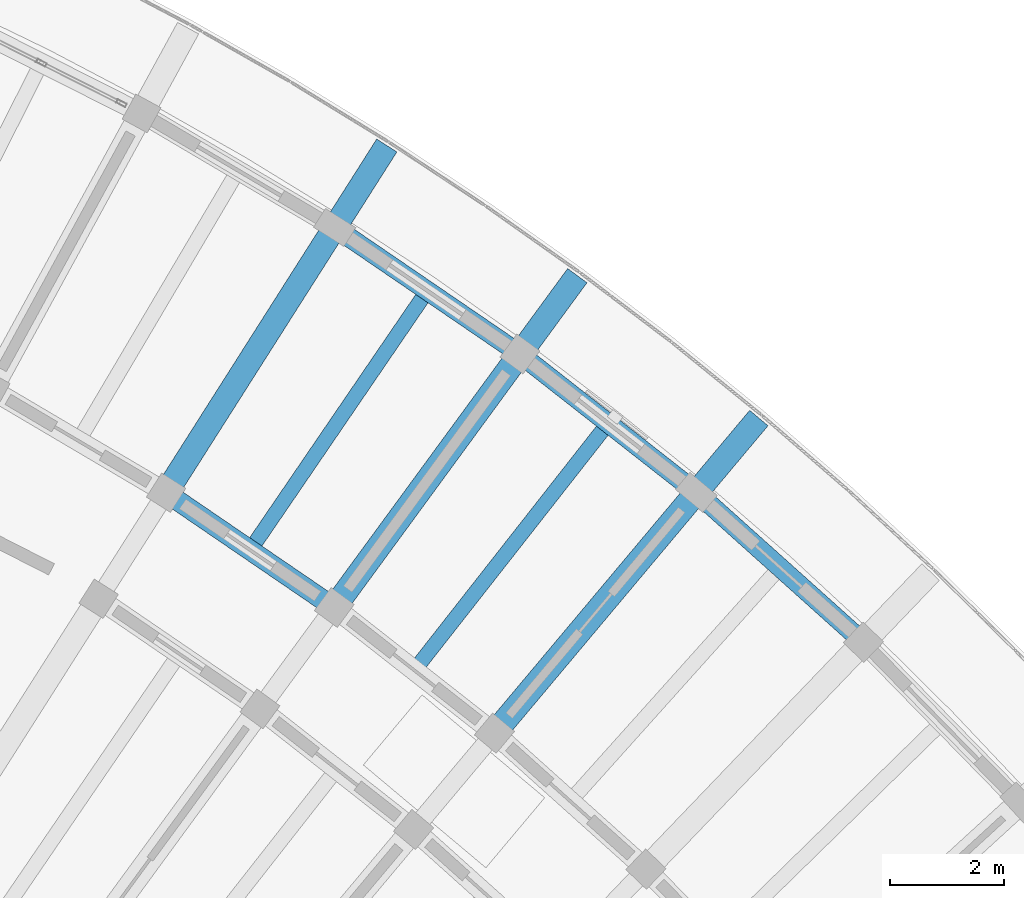
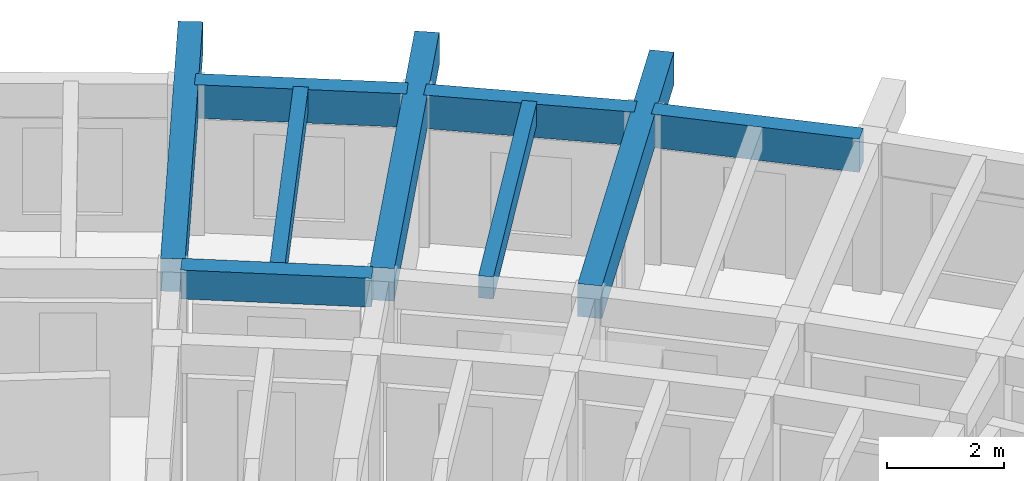
# One storey, part 26 of 62: 9 beams.
"""IFC4 building model written with IfcOpenShell, lengths in metres."""

from ifc_helpers import new_model, si_unit, direction, frame, origin, origin_2d, place, context, subcontext, project, spatial, rectangle, extrude, material, material_profile, profile_set, type_object, element, save


model = new_model("IFC4")

# Units and contexts
model_context = context("Model", 3, precision=1e-05, world=origin(), true_north=direction((0.0, 1.0)))
body_context = subcontext(model_context, "Body", "Model", "MODEL_VIEW")
ifc_project = project(units=[si_unit("LENGTHUNIT", "METRE"), si_unit("AREAUNIT", "SQUARE_METRE"), si_unit("VOLUMEUNIT", "CUBIC_METRE"), si_unit("PLANEANGLEUNIT", "RADIAN"), si_unit("MASSUNIT", "GRAM", prefix="KILO")], contexts=[model_context])

# Site, building, storey
site_placement = place(None, origin())
site = spatial("IfcSite", under=ifc_project, at=site_placement, CompositionType="ELEMENT")
building_placement = place(site_placement, origin())
building = spatial("IfcBuilding", under=site, at=building_placement, Name="Tanwirah Colonnade Gardens", CompositionType="ELEMENT")
storey_placement = place(building_placement, frame((0.0, 0.0, 32.360107421875)))
storey = spatial("IfcBuildingStorey", under=building, at=storey_placement, Name="L09", CompositionType="ELEMENT", Elevation=32.360107421875)

# Beams
ifc_material_1 = material(Name="Precast concrete C40/50", Category="concrete")
ifc_material_profile_1 = material_profile(ifc_material_1, rectangle(XDim=0.35009765625, YDim=0.60009765625, at=origin_2d()), Name="PC-BM 350x600")
ifc_profile_set_1 = profile_set([ifc_material_profile_1], Name="Precast concrete C40/50")
beam_type_1 = type_object("IfcBeamType", Name="BM-PC350B", PredefinedType="BEAM", material=ifc_profile_set_1)
beam_1_placement = place(storey_placement, frame((152.815185546875, 103.888427734375, 2.81494140625), z_axis=(-0.825782284145, 0.563989024, 0.0), x_axis=(-0.563989024, -0.825782284145, 0.0)))
element("IfcBeam", 1, at=beam_1_placement, inside=storey, type_object=beam_type_1, Name="Block B L09 Circumferential Beam 10-R2", PredefinedType="BEAM", context=body_context, shape_type="SweptSolid", body=[
    extrude(rectangle(XDim=0.35009765625, YDim=0.60009765625, at=origin_2d()), origin(), (0.0, 0.0, 1.0), 3.26318359375),
])
ifc_material_2 = material(Name="Precast concrete C45/55", Category="concrete")
ifc_material_profile_2 = material_profile(ifc_material_2, rectangle(XDim=0.419921875, YDim=0.679931640625, at=origin_2d()), Name="PC-BM 420x680")
ifc_profile_set_2 = profile_set([ifc_material_profile_2], Name="Precast concrete C45/55")
beam_type_2 = type_object("IfcBeamType", Name="BM-PC420", PredefinedType="BEAM", material=ifc_profile_set_2)
beam_2_placement = place(storey_placement, frame((155.839111328125, 101.7197265625, 2.77490234375), z_axis=(0.642810291951, 0.766025409867, 0.0), x_axis=(-0.766025409867, 0.642810291951, 0.0)))
element("IfcBeam", 2, at=beam_2_placement, inside=storey, type_object=beam_type_2, Name="Block B L09 Outer Radial Precast Girder 9", PredefinedType="BEAM", context=body_context, shape_type="SweptSolid", body=[
    extrude(rectangle(XDim=0.419921875, YDim=0.679931640625, at=origin_2d()), origin(), (0.0, 0.0, 1.0), 7.0498046875),
])
for number, where, z_axis, x_axis, name in (
    (3, (153.02783203125, 103.9248046875, 2.77490234375), (0.590919194225, 0.806730751798, 0.0), (-0.806730751798, 0.590919194225, 0.0), "Block B L09 Outer Radial Precast Girder 10"),
    (4, (150.077392578125, 105.93994140625, 2.77490234375), (0.536451921133, 0.843930883611, 0.0), (-0.843930883611, 0.536451921133, 0.0), "Block B L09 Outer Radial Precast Girder 11"),
):
    element("IfcBeam", number, at=place(storey_placement, frame(where, z_axis=z_axis, x_axis=x_axis)), inside=storey, type_object=beam_type_2, Name=name, PredefinedType="BEAM", context=body_context, shape_type="SweptSolid", body=[
        extrude(rectangle(XDim=0.419921875, YDim=0.679931640625, at=origin_2d()), origin(), (0.0, 0.0, 1.0), 7.050048828125),
    ])
ifc_material_profile_3 = material_profile(ifc_material_1, rectangle(XDim=0.260009765625, YDim=0.4599609375, at=origin_2d()), Name="PC-JST 260x460")
ifc_profile_set_3 = profile_set([ifc_material_profile_3], Name="Precast concrete C40/50")
beam_type_3 = type_object("IfcBeamType", Name="JST-PC260", PredefinedType="JOIST", material=ifc_profile_set_3)
for number, where, z_axis, x_axis, name in (
    (5, (154.43310546875, 102.82177734375, 2.885009765625), (0.617177687243, 0.786823806433, 0.0), (-0.786823806433, 0.617177687243, 0.0), "Block B L09 Precast Floor Joist 9"),
    (6, (151.55224609375, 104.931884765625, 2.885009765625), (0.563973225998, 0.825793073571, 0.0), (-0.825793073571, 0.563973225998, 0.0), "Block B L09 Precast Floor Joist 10"),
):
    element("IfcBeam", number, at=place(storey_placement, frame(where, z_axis=z_axis, x_axis=x_axis)), inside=storey, type_object=beam_type_3, Name=name, PredefinedType="JOIST", context=body_context, shape_type="SweptSolid", body=[
        extrude(rectangle(XDim=0.260009765625, YDim=0.4599609375, at=origin_2d()), origin(), (0.0, 0.0, 1.0), 5.260009765625),
    ])
ifc_material_profile_4 = material_profile(ifc_material_1, rectangle(XDim=0.3349609375, YDim=0.695068359375, at=origin_2d()), Name="PC-SP 335x695")
ifc_profile_set_4 = profile_set([ifc_material_profile_4], Name="Precast concrete C40/50")
beam_type_4 = type_object("IfcBeamType", Name="SP-PC300", PredefinedType="SPANDREL", material=ifc_profile_set_4)
beam_3_placement = place(storey_placement, frame((162.0888671875, 103.296875, 2.767333984375), z_axis=(-0.744444790955, 0.667684021989, 0.0), x_axis=(-0.667684021989, -0.744444790955, 0.0)))
element("IfcBeam", 7, at=beam_3_placement, inside=storey, type_object=beam_type_4, Name="Block B L09 Circumferential Beam 8-R3", PredefinedType="SPANDREL", context=body_context, shape_type="SweptSolid", body=[
    extrude(rectangle(XDim=0.3349609375, YDim=0.695068359375, at=origin_2d()), origin(), (0.0, 0.0, 1.0), 3.625732421875),
])
beam_4_placement = place(storey_placement, frame((159.159912109375, 105.91064453125, 2.767333984375), z_axis=(-0.786843799845, 0.617152197311, 0.0), x_axis=(-0.617152197311, -0.786843799845, 0.0)))
element("IfcBeam", 8, at=beam_4_placement, inside=storey, type_object=beam_type_4, Name="Block B L09 Circumferential Beam 9-R3", PredefinedType="SPANDREL", context=body_context, shape_type="SweptSolid", body=[
    extrude(rectangle(XDim=0.3349609375, YDim=0.695068359375, at=origin_2d()), origin(), (0.0, 0.0, 1.0), 3.62548828125),
])
beam_5_placement = place(storey_placement, frame((156.0654296875, 108.325439453125, 2.767333984375), z_axis=(-0.825782625102, 0.563988524776, 0.0), x_axis=(-0.563988524776, -0.825782625102, 0.0)))
element("IfcBeam", 9, at=beam_5_placement, inside=storey, type_object=beam_type_4, Name="Block B L09 Circumferential Beam 10-R3", PredefinedType="SPANDREL", context=body_context, shape_type="SweptSolid", body=[
    extrude(rectangle(XDim=0.3349609375, YDim=0.695068359375, at=origin_2d()), origin(), (0.0, 0.0, 1.0), 3.625732421875),
])

save(model, "model.ifc")
